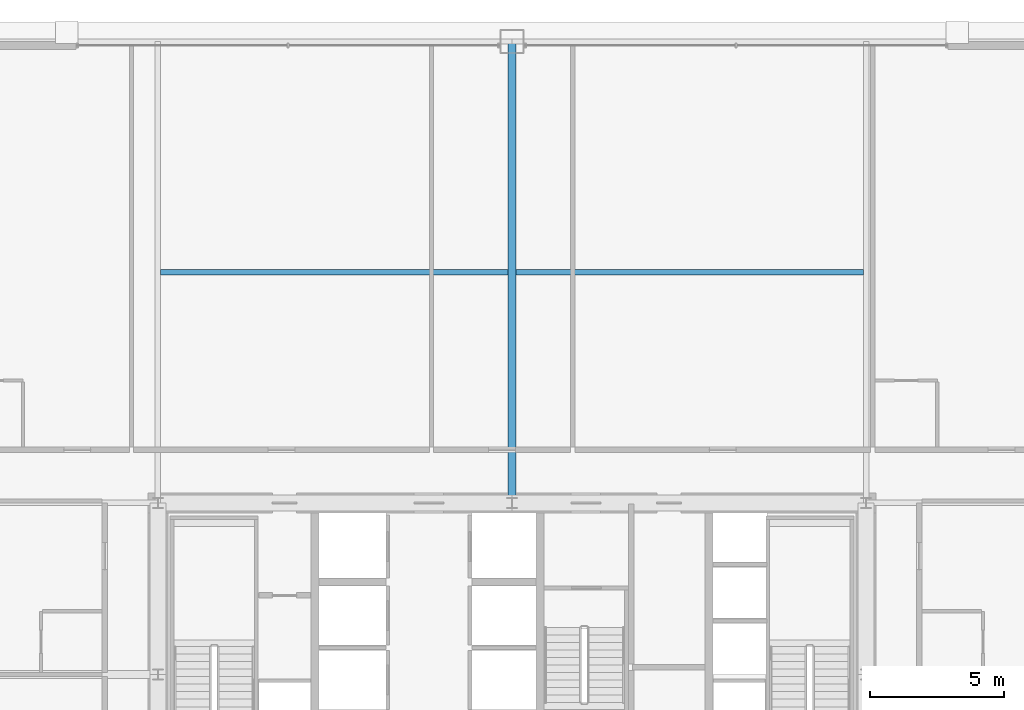
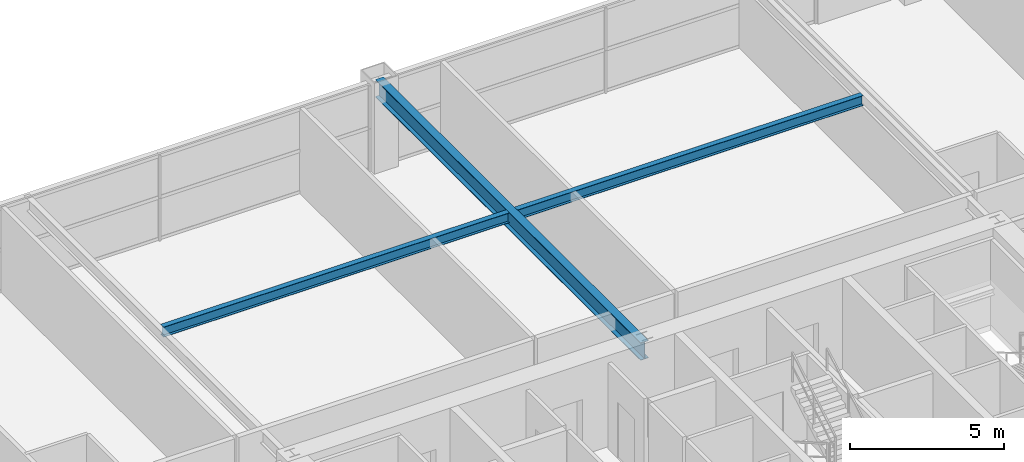
# One storey, part 26 of 39: 3 beams.
"""IFC4 building model written with IfcOpenShell, lengths in metres."""

from ifc_helpers import new_model, si_unit, direction, frame, origin, origin_2d, place, context, subcontext, project, spatial, i_section, extrude, source, transform, mapped, material, material_profile, profile_set, type_object, element, save


model = new_model("IFC4")

# Units and contexts
model_context = context("Model", 3, precision=1e-05, world=origin(), true_north=direction((0.0, 1.0)))
body_context = subcontext(model_context, "Body", "Model", "MODEL_VIEW")
ifc_project = project(units=[si_unit("LENGTHUNIT", "METRE"), si_unit("AREAUNIT", "SQUARE_METRE"), si_unit("VOLUMEUNIT", "CUBIC_METRE"), si_unit("PLANEANGLEUNIT", "RADIAN"), si_unit("MASSUNIT", "GRAM", prefix="KILO"), si_unit("THERMODYNAMICTEMPERATUREUNIT", "KELVIN"), si_unit("POWERUNIT", "WATT")], contexts=[model_context])

# Site, building, storey
site_placement = place(None, origin())
site = spatial("IfcSite", under=ifc_project, at=site_placement, CompositionType="ELEMENT")
building_placement = place(site_placement, origin())
building = spatial("IfcBuilding", under=site, at=building_placement, Name="Yuzanri Waterfront Tower", CompositionType="ELEMENT")
storey_placement = place(building_placement, frame((0.0, 0.0, 134.39990234375)))
storey = spatial("IfcBuildingStorey", under=building, at=storey_placement, Name="L35", CompositionType="ELEMENT", Elevation=134.39990234375)

# Beams
ifc_material_1 = material(Name="Steel Q355B", Category="steel")
ifc_material_profile_1 = material_profile(ifc_material_1, i_section(OverallWidth=0.199951171875, OverallDepth=0.39990234375, WebThickness=0.008056640625, FlangeThickness=0.012939453125, at=origin_2d()), Name="HN 400x200x8x13")
ifc_profile_set_1 = profile_set([ifc_material_profile_1], Name="Steel Q355B")
beam_type_1 = type_object("IfcBeamType", Name="Floor Joist Q355B HN 400x200", PredefinedType="JOIST", material=ifc_profile_set_1)
shared_shape_1 = source(origin(), body_context, "Body", "SweptSolid", [
    extrude(i_section(OverallWidth=0.199951171875, OverallDepth=0.39990234375, WebThickness=0.008056640625, FlangeThickness=0.012939453125, at=origin_2d()), origin(), (0.0, 0.0, 1.0), 12.9501953125),
])
for number, where, z_axis, x_axis, name in (
    (1, (23.89990234375, 40.800048828125, 3.18017578125), (1.0, 0.0, 0.0), (0.0, 1.0, 0.0), "L35 North Bay Joist W"),
    (2, (37.14990234375, 40.800048828125, 3.18017578125), (1.0, 0.0, 0.0), (0.0, 1.0, 0.0), "L35 North Bay Joist E"),
):
    element("IfcBeam", number, at=place(storey_placement, frame(where, z_axis=z_axis, x_axis=x_axis)), inside=storey, type_object=beam_type_1, Name=name, PredefinedType="JOIST", context=body_context, shape_type="MappedRepresentation", body=[
        mapped(shared_shape_1, transform((0.0, 0.0, 0.0), scale=1.0)),
    ])
ifc_material_2 = material(Name="Steel Q355B", Category="steel")
ifc_material_profile_2 = material_profile(ifc_material_2, i_section(OverallWidth=0.300048828125, OverallDepth=0.699951171875, WebThickness=0.012939453125, FlangeThickness=0.02392578125, at=origin_2d()), Name="HN 700x300x13x24")
ifc_profile_set_2 = profile_set([ifc_material_profile_2], Name="Steel Q355B")
beam_type_2 = type_object("IfcBeamType", Name="Primary Floor Girder Q355B HN 700x300", PredefinedType="BEAM", material=ifc_profile_set_2)
shared_shape_2 = source(origin(), body_context, "Body", "SweptSolid", [
    extrude(i_section(OverallWidth=0.300048828125, OverallDepth=0.699951171875, WebThickness=0.012939453125, FlangeThickness=0.02392578125, at=origin_2d()), origin(), (0.0, 0.0, 1.0), 17.199951171875),
])
beam_placement = place(storey_placement, frame((37.0, 32.199951171875, 3.030029296875), z_axis=(0.0, 1.0, 0.0), x_axis=(-1.0, 0.0, 0.0)))
element("IfcBeam", 3, at=beam_placement, inside=storey, type_object=beam_type_2, Name="L35 North Grid Girder", PredefinedType="BEAM", context=body_context, shape_type="MappedRepresentation", body=[
    mapped(shared_shape_2, transform((0.0, 0.0, 0.0), scale=1.0)),
])

save(model, "model.ifc")
